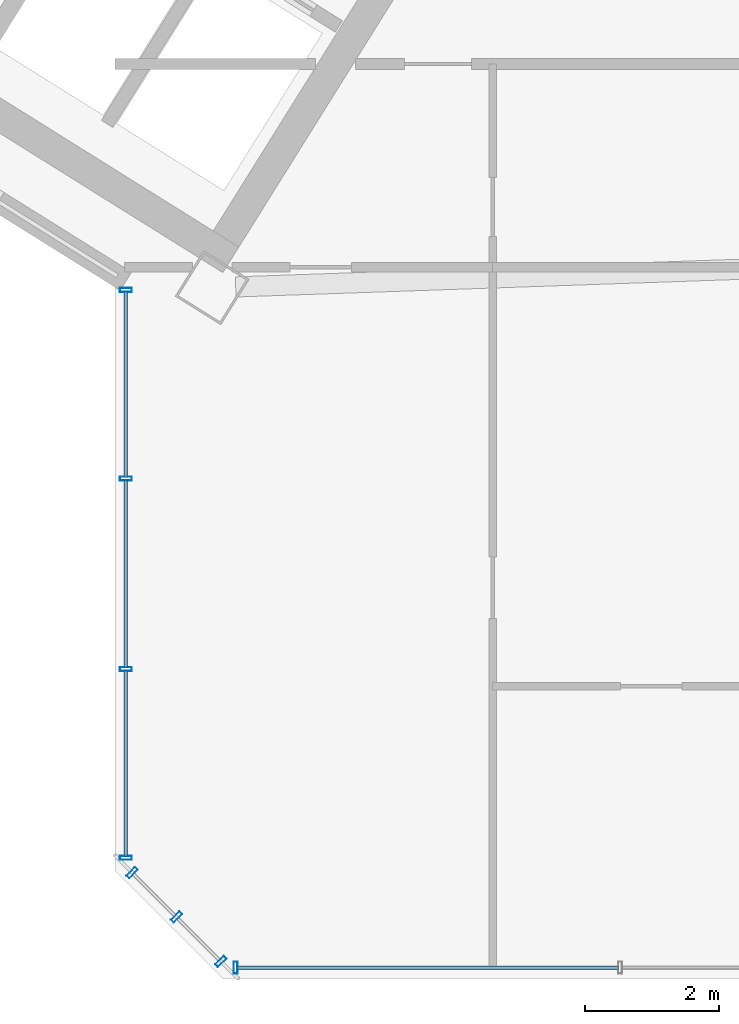
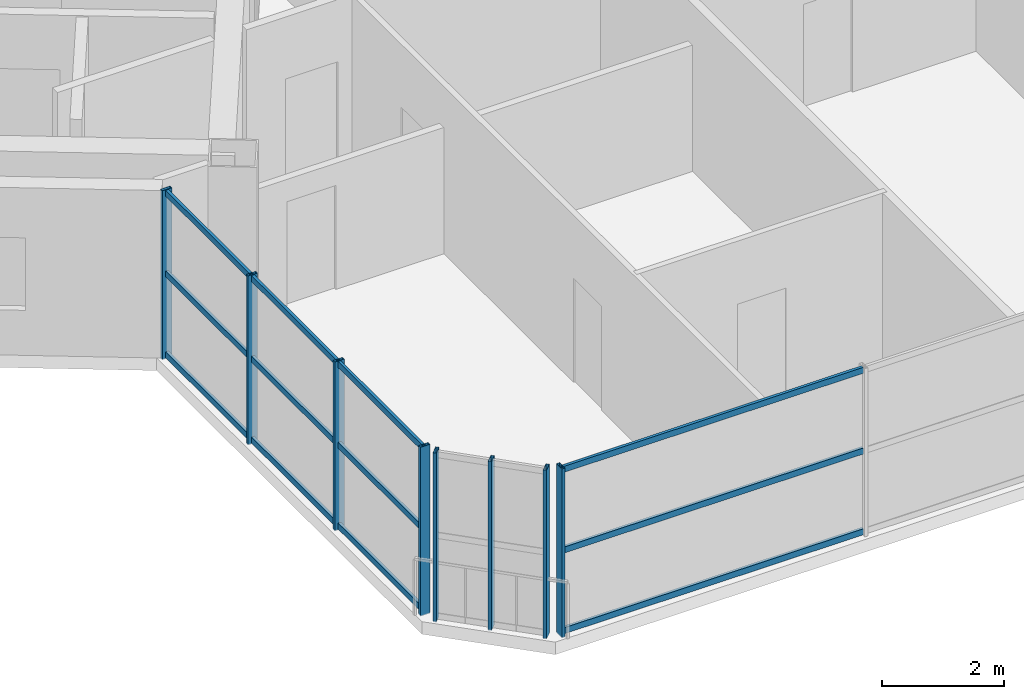
# One storey, part 4 of 21: 20 members, 3 elements without a shape of their own.
"""IFC4 building model written with IfcOpenShell, lengths in metres."""

from ifc_helpers import new_model, si_unit, direction, frame, origin, origin_2d, place, context, subcontext, project, spatial, hollow_rectangle, extrude, source, transform, mapped, material, material_profile, profile_set, type_object, element, aggregate, save


model = new_model("IFC4")

# Units and contexts
model_context = context("Model", 3, precision=1e-05, world=origin(), true_north=direction((0.0, 1.0)))
body_context = subcontext(model_context, "Body", "Model", "MODEL_VIEW")
ifc_project = project(units=[si_unit("LENGTHUNIT", "METRE"), si_unit("AREAUNIT", "SQUARE_METRE"), si_unit("VOLUMEUNIT", "CUBIC_METRE"), si_unit("PLANEANGLEUNIT", "RADIAN"), si_unit("MASSUNIT", "GRAM", prefix="KILO")], contexts=[model_context])

# Site, building, storey
site_placement = place(None, origin())
site = spatial("IfcSite", under=ifc_project, at=site_placement, CompositionType="ELEMENT")
building_placement = place(site_placement, origin())
building = spatial("IfcBuilding", under=site, at=building_placement, Name="Tlacorven Tower", CompositionType="ELEMENT")
storey_placement = place(building_placement, frame((0.0, 0.0, 222.0)))
storey = spatial("IfcBuildingStorey", under=building, at=storey_placement, Name="L56", CompositionType="ELEMENT", Elevation=222.0)

# Curtain wall, member
ifc_material_1 = material(Name="Dark solar low-E double glazing in aluminium frame", Category="aluminium")
curtain_wall_type = type_object("IfcCurtainWallType", Name="CW-TWR-HIGH", PredefinedType="USERDEFINED", material=ifc_material_1)
curtain_wall_1_placement = place(storey_placement, origin())
curtain_wall_1 = element("IfcCurtainWall", 1, at=curtain_wall_1_placement, inside=storey, type_object=curtain_wall_type, Name="L56 CW-TWR-HIGH Curtain Wall 254", ObjectType="UNITISED CURTAIN WALL", PredefinedType="USERDEFINED")
ifc_material_2 = material(Name="Aluminium 6063-T6 anodised", Category="aluminium")
ifc_material_profile_1 = material_profile(ifc_material_2, hollow_rectangle(XDim=0.06005859375, YDim=0.179931640625, WallThickness=0.00390625, at=origin_2d()), Name="ALU MULLION 60X180")
ifc_profile_set_1 = profile_set([ifc_material_profile_1], Name="Aluminium 6063-T6 anodised")
member_type_1 = type_object("IfcMemberType", Name="CWM-03", PredefinedType="MULLION", material=ifc_profile_set_1)
shared_shape_1 = source(origin(), body_context, "Body", "SweptSolid", [
    extrude(hollow_rectangle(XDim=0.06005859375, YDim=0.179931640625, WallThickness=0.00390625, at=origin_2d()), origin(), (0.0, 0.0, 1.0), 3.380126953125),
])
member_1_placement = place(storey_placement, frame((33.396240234375, 1.9599609375, -0.02001953125), z_axis=(0.0, 0.0, 1.0), x_axis=(-1.0, 0.0, 0.0)))
member_1 = element("IfcMember", 2, at=member_1_placement, type_object=member_type_1, Name="CW-L56-254 Mullion 4", PredefinedType="MULLION", context=body_context, shape_type="MappedRepresentation", body=[
    mapped(shared_shape_1, transform((0.0, 0.0, 0.0), scale=1.0)),
])

# Curtain wall, members
curtain_wall_2_placement = place(storey_placement, origin())
curtain_wall_2 = element("IfcCurtainWall", 3, at=curtain_wall_2_placement, inside=storey, type_object=curtain_wall_type, Name="L56 CW-TWR-HIGH Curtain Wall 255", ObjectType="UNITISED CURTAIN WALL", PredefinedType="USERDEFINED")
member_2_placement = place(storey_placement, frame((33.17431640625, 2.052001953125, -0.02001953125), z_axis=(0.0, 0.0, 1.0), x_axis=(-0.707106781187, 0.707106781187, 0.0)))
member_2 = element("IfcMember", 4, at=member_2_placement, type_object=member_type_1, Name="CW-L56-255 Mullion 1", PredefinedType="MULLION", context=body_context, shape_type="MappedRepresentation", body=[
    mapped(shared_shape_1, transform((0.0, 0.0, 0.0), scale=1.0)),
])
member_3_placement = place(storey_placement, frame((32.51318359375, 2.713134765625, -0.02001953125), z_axis=(0.0, 0.0, 1.0), x_axis=(-0.707106781187, 0.707106781187, 0.0)))
member_3 = element("IfcMember", 5, at=member_3_placement, type_object=member_type_1, Name="CW-L56-255 Mullion 2", PredefinedType="MULLION", context=body_context, shape_type="MappedRepresentation", body=[
    mapped(shared_shape_1, transform((0.0, 0.0, 0.0), scale=1.0)),
])
member_4_placement = place(storey_placement, frame((31.851806640625, 3.374267578125, -0.02001953125), z_axis=(0.0, 0.0, 1.0), x_axis=(-0.707106781187, 0.707106781187, 0.0)))
member_4 = element("IfcMember", 6, at=member_4_placement, type_object=member_type_1, Name="CW-L56-255 Mullion 3", PredefinedType="MULLION", context=body_context, shape_type="MappedRepresentation", body=[
    mapped(shared_shape_1, transform((0.0, 0.0, 0.0), scale=1.0)),
])
aggregate(curtain_wall_2, [member_2, member_3, member_4])

curtain_wall_3_placement = place(storey_placement, origin())
curtain_wall_3 = element("IfcCurtainWall", 7, at=curtain_wall_3_placement, inside=storey, type_object=curtain_wall_type, Name="L56 CW-TWR-HIGH Curtain Wall 256", ObjectType="UNITISED CURTAIN WALL", PredefinedType="USERDEFINED")
member_5_placement = place(storey_placement, frame((31.760009765625, 3.59619140625, -0.02001953125), z_axis=(0.0, 0.0, 1.0), x_axis=(0.0, 1.0, 0.0)))
member_5 = element("IfcMember", 8, at=member_5_placement, type_object=member_type_1, Name="CW-L56-256 Mullion 1", PredefinedType="MULLION", context=body_context, shape_type="MappedRepresentation", body=[
    mapped(shared_shape_1, transform((0.0, 0.0, 0.0), scale=1.0)),
])
member_6_placement = place(storey_placement, frame((31.760009765625, 6.4052734375, -0.02001953125), z_axis=(0.0, 0.0, 1.0), x_axis=(0.0, 1.0, 0.0)))
member_6 = element("IfcMember", 9, at=member_6_placement, type_object=member_type_1, Name="CW-L56-256 Mullion 2", PredefinedType="MULLION", context=body_context, shape_type="MappedRepresentation", body=[
    mapped(shared_shape_1, transform((0.0, 0.0, 0.0), scale=1.0)),
])
member_7_placement = place(storey_placement, frame((31.760009765625, 9.244140625, -0.02001953125), z_axis=(0.0, 0.0, 1.0), x_axis=(0.0, 1.0, 0.0)))
member_7 = element("IfcMember", 10, at=member_7_placement, type_object=member_type_1, Name="CW-L56-256 Mullion 3", PredefinedType="MULLION", context=body_context, shape_type="MappedRepresentation", body=[
    mapped(shared_shape_1, transform((0.0, 0.0, 0.0), scale=1.0)),
])
member_8_placement = place(storey_placement, frame((31.760009765625, 12.052978515625, -0.02001953125), z_axis=(0.0, 0.0, 1.0), x_axis=(0.0, 1.0, 0.0)))
member_8 = element("IfcMember", 11, at=member_8_placement, type_object=member_type_1, Name="CW-L56-256 Mullion 4", PredefinedType="MULLION", context=body_context, shape_type="MappedRepresentation", body=[
    mapped(shared_shape_1, transform((0.0, 0.0, 0.0), scale=1.0)),
])

# Member
ifc_material_profile_2 = material_profile(ifc_material_2, hollow_rectangle(XDim=0.054931640625, YDim=0.1201171875, WallThickness=0.00341796875, at=origin_2d()), Name="ALU TRANSOM 55X120")
ifc_profile_set_2 = profile_set([ifc_material_profile_2], Name="Aluminium 6063-T6 anodised")
member_type_2 = type_object("IfcMemberType", Name="CWT-03", PredefinedType="USERDEFINED", material=ifc_profile_set_2)
shared_shape_2 = source(origin(), body_context, "Body", "SweptSolid", [
    extrude(hollow_rectangle(XDim=0.054931640625, YDim=0.1201171875, WallThickness=0.00341796875, at=origin_2d()), origin(), (0.0, 0.0, 1.0), 5.689697265625),
])
member_9_placement = place(storey_placement, frame((39.10400390625, 1.9599609375, 0.06005859375), z_axis=(-1.0, 0.0, 0.0), x_axis=(0.0, -1.0, 0.0)))
member_9 = element("IfcMember", 12, at=member_9_placement, type_object=member_type_2, Name="CW-L56-254 Transom 7", ObjectType="TRANSOM", PredefinedType="USERDEFINED", context=body_context, shape_type="MappedRepresentation", body=[
    mapped(shared_shape_2, transform((0.0, 0.0, 0.0), scale=1.0)),
])

member_10_placement = place(storey_placement, frame((39.10400390625, 1.9599609375, 1.675048828125), z_axis=(-1.0, 0.0, 0.0), x_axis=(0.0, -1.0, 0.0)))
member_10 = element("IfcMember", 13, at=member_10_placement, type_object=member_type_2, Name="CW-L56-254 Transom 8", ObjectType="TRANSOM", PredefinedType="USERDEFINED", context=body_context, shape_type="MappedRepresentation", body=[
    mapped(shared_shape_2, transform((0.0, 0.0, 0.0), scale=1.0)),
])

member_11_placement = place(storey_placement, frame((39.10400390625, 1.9599609375, 3.2900390625), z_axis=(-1.0, 0.0, 0.0), x_axis=(0.0, -1.0, 0.0)))
member_11 = element("IfcMember", 14, at=member_11_placement, type_object=member_type_2, Name="CW-L56-254 Transom 9", ObjectType="TRANSOM", PredefinedType="USERDEFINED", context=body_context, shape_type="MappedRepresentation", body=[
    mapped(shared_shape_2, transform((0.0, 0.0, 0.0), scale=1.0)),
])

aggregate(curtain_wall_1, [member_1, member_9, member_10, member_11])

shared_shape_3 = source(origin(), body_context, "Body", "SweptSolid", [
    extrude(hollow_rectangle(XDim=0.054931640625, YDim=0.1201171875, WallThickness=0.00341796875, at=origin_2d()), origin(), (0.0, 0.0, 1.0), 2.77294921875),
])
member_12_placement = place(storey_placement, frame((31.760009765625, 3.6142578125, 0.06005859375), z_axis=(0.0, 1.0, 0.0), x_axis=(-1.0, 0.0, 0.0)))
member_12 = element("IfcMember", 15, at=member_12_placement, type_object=member_type_2, Name="CW-L56-256 Transom 1", ObjectType="TRANSOM", PredefinedType="USERDEFINED", context=body_context, shape_type="MappedRepresentation", body=[
    mapped(shared_shape_3, transform((0.0, 0.0, 0.0), scale=1.0)),
])

member_13_placement = place(storey_placement, frame((31.760009765625, 3.6142578125, 1.675048828125), z_axis=(0.0, 1.0, 0.0), x_axis=(-1.0, 0.0, 0.0)))
member_13 = element("IfcMember", 16, at=member_13_placement, type_object=member_type_2, Name="CW-L56-256 Transom 2", ObjectType="TRANSOM", PredefinedType="USERDEFINED", context=body_context, shape_type="MappedRepresentation", body=[
    mapped(shared_shape_3, transform((0.0, 0.0, 0.0), scale=1.0)),
])

member_14_placement = place(storey_placement, frame((31.760009765625, 3.6142578125, 3.2900390625), z_axis=(0.0, 1.0, 0.0), x_axis=(-1.0, 0.0, 0.0)))
member_14 = element("IfcMember", 17, at=member_14_placement, type_object=member_type_2, Name="CW-L56-256 Transom 3", ObjectType="TRANSOM", PredefinedType="USERDEFINED", context=body_context, shape_type="MappedRepresentation", body=[
    mapped(shared_shape_3, transform((0.0, 0.0, 0.0), scale=1.0)),
])

member_15_placement = place(storey_placement, frame((31.760009765625, 9.26220703125, 0.06005859375), z_axis=(0.0, 1.0, 0.0), x_axis=(-1.0, 0.0, 0.0)))
member_15 = element("IfcMember", 18, at=member_15_placement, type_object=member_type_2, Name="CW-L56-256 Transom 7", ObjectType="TRANSOM", PredefinedType="USERDEFINED", context=body_context, shape_type="MappedRepresentation", body=[
    mapped(shared_shape_3, transform((0.0, 0.0, 0.0), scale=1.0)),
])

member_16_placement = place(storey_placement, frame((31.760009765625, 9.26220703125, 1.675048828125), z_axis=(0.0, 1.0, 0.0), x_axis=(-1.0, 0.0, 0.0)))
member_16 = element("IfcMember", 19, at=member_16_placement, type_object=member_type_2, Name="CW-L56-256 Transom 8", ObjectType="TRANSOM", PredefinedType="USERDEFINED", context=body_context, shape_type="MappedRepresentation", body=[
    mapped(shared_shape_3, transform((0.0, 0.0, 0.0), scale=1.0)),
])

member_17_placement = place(storey_placement, frame((31.760009765625, 9.26220703125, 3.2900390625), z_axis=(0.0, 1.0, 0.0), x_axis=(-1.0, 0.0, 0.0)))
member_17 = element("IfcMember", 20, at=member_17_placement, type_object=member_type_2, Name="CW-L56-256 Transom 9", ObjectType="TRANSOM", PredefinedType="USERDEFINED", context=body_context, shape_type="MappedRepresentation", body=[
    mapped(shared_shape_3, transform((0.0, 0.0, 0.0), scale=1.0)),
])

shared_shape_4 = source(origin(), body_context, "Body", "SweptSolid", [
    extrude(hollow_rectangle(XDim=0.054931640625, YDim=0.1201171875, WallThickness=0.00341796875, at=origin_2d()), origin(), (0.0, 0.0, 1.0), 2.802978515625),
])
member_18_placement = place(storey_placement, frame((31.760009765625, 6.423095703125, 0.06005859375), z_axis=(0.0, 1.0, 0.0), x_axis=(-1.0, 0.0, 0.0)))
member_18 = element("IfcMember", 21, at=member_18_placement, type_object=member_type_2, Name="CW-L56-256 Transom 4", ObjectType="TRANSOM", PredefinedType="USERDEFINED", context=body_context, shape_type="MappedRepresentation", body=[
    mapped(shared_shape_4, transform((0.0, 0.0, 0.0), scale=1.0)),
])

member_19_placement = place(storey_placement, frame((31.760009765625, 6.423095703125, 1.675048828125), z_axis=(0.0, 1.0, 0.0), x_axis=(-1.0, 0.0, 0.0)))
member_19 = element("IfcMember", 22, at=member_19_placement, type_object=member_type_2, Name="CW-L56-256 Transom 5", ObjectType="TRANSOM", PredefinedType="USERDEFINED", context=body_context, shape_type="MappedRepresentation", body=[
    mapped(shared_shape_4, transform((0.0, 0.0, 0.0), scale=1.0)),
])

member_20_placement = place(storey_placement, frame((31.760009765625, 6.423095703125, 3.2900390625), z_axis=(0.0, 1.0, 0.0), x_axis=(-1.0, 0.0, 0.0)))
member_20 = element("IfcMember", 23, at=member_20_placement, type_object=member_type_2, Name="CW-L56-256 Transom 6", ObjectType="TRANSOM", PredefinedType="USERDEFINED", context=body_context, shape_type="MappedRepresentation", body=[
    mapped(shared_shape_4, transform((0.0, 0.0, 0.0), scale=1.0)),
])

aggregate(curtain_wall_3, [member_5, member_6, member_7, member_8, member_12, member_13, member_14, member_18, member_19, member_20, member_15, member_16, member_17])

save(model, "model.ifc")
